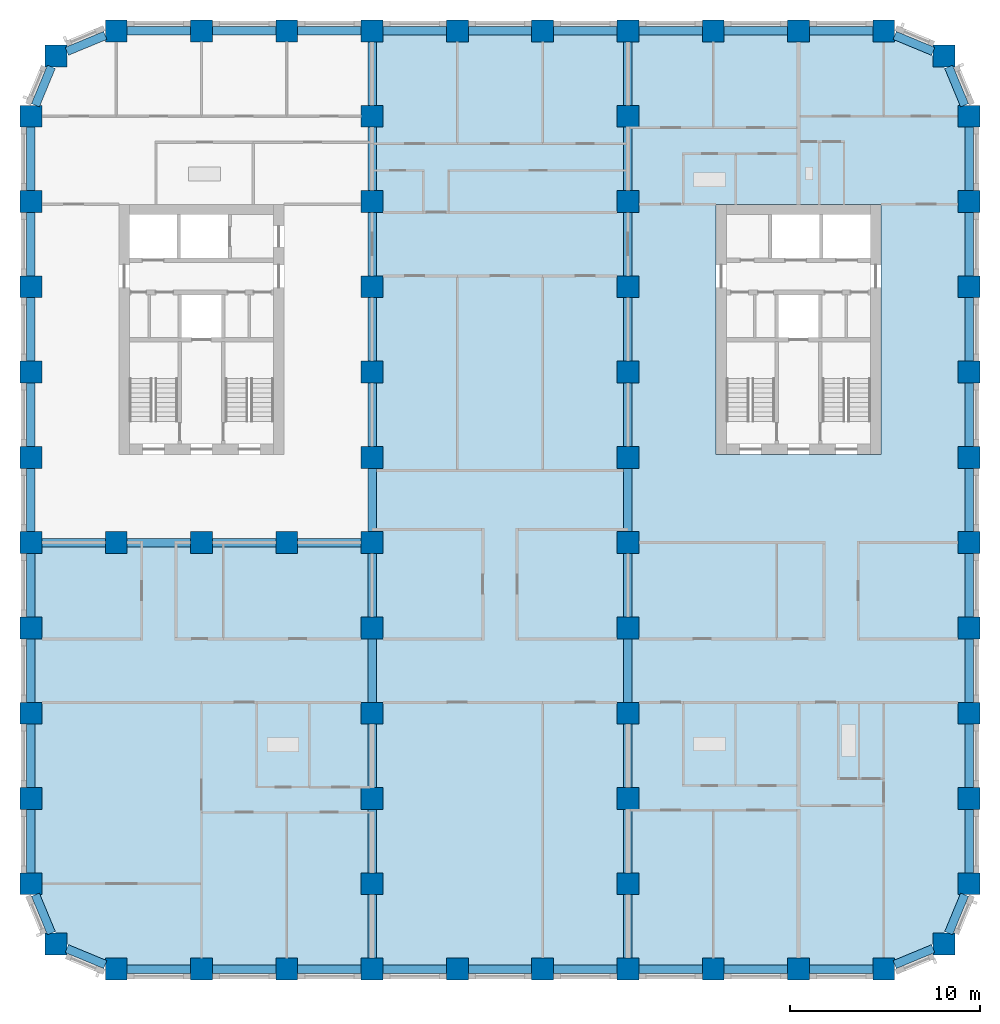
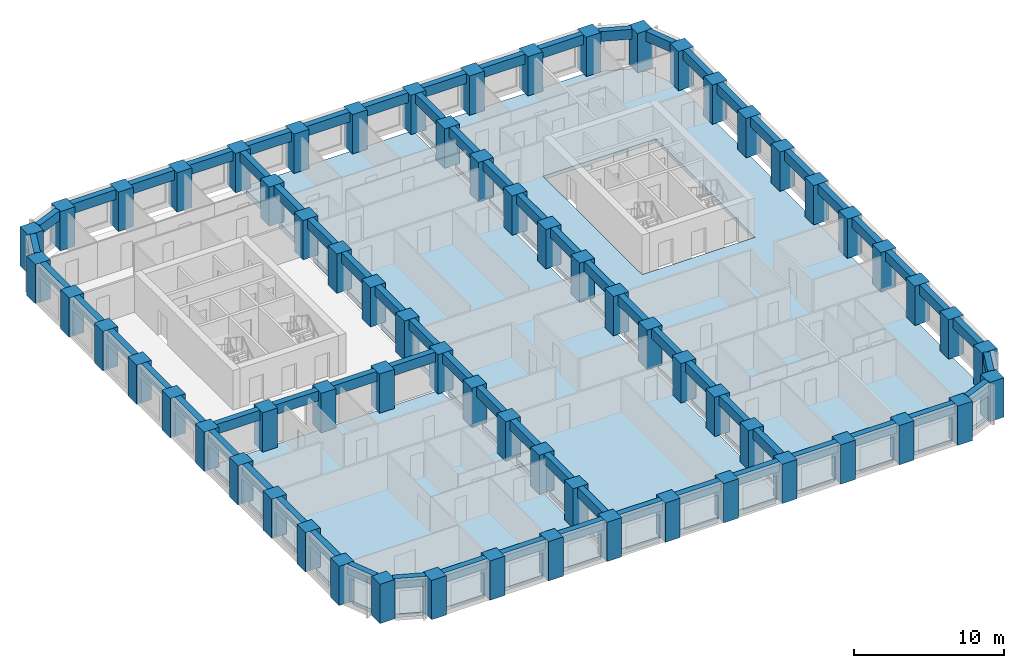
# One storey, part 1 of 13: 70 beams, 67 columns, 3 slabs.
"""IFC4 building model written with IfcOpenShell, lengths in metres."""

from ifc_helpers import new_model, si_unit, direction, frame, origin, origin_2d, place, context, subcontext, project, spatial, polyline, rectangle, outline, extrude, material, layer, layer_set, material_profile, profile_set, type_object, element, save


model = new_model("IFC4")

# Units and contexts
model_context = context("Model", 3, precision=1e-05, world=origin(), true_north=direction((0.0, 1.0)))
body_context = subcontext(model_context, "Body", "Model", "MODEL_VIEW")
ifc_project = project(units=[si_unit("LENGTHUNIT", "METRE"), si_unit("AREAUNIT", "SQUARE_METRE"), si_unit("VOLUMEUNIT", "CUBIC_METRE"), si_unit("PLANEANGLEUNIT", "RADIAN"), si_unit("MASSUNIT", "GRAM", prefix="KILO")], contexts=[model_context])

# Site, building, storey
site_placement = place(None, origin())
site = spatial("IfcSite", under=ifc_project, at=site_placement, CompositionType="ELEMENT")
building_placement = place(site_placement, origin())
building = spatial("IfcBuilding", under=site, at=building_placement, Name="Girih Gate Residences", CompositionType="ELEMENT")
storey_placement = place(building_placement, frame((0.0, 0.0, 92.800048828125)))
storey = spatial("IfcBuildingStorey", under=building, at=storey_placement, Name="L25", CompositionType="ELEMENT", Elevation=92.800048828125)

# Columns
ifc_material_1 = material(Name="Concrete C80/95", Category="concrete")
ifc_material_profile_1 = material_profile(ifc_material_1, rectangle(XDim=1.14990234375, YDim=1.14990234375, at=origin_2d()))
ifc_profile_set_1 = profile_set([ifc_material_profile_1], Name="Concrete C80/95")
column_type = type_object("IfcColumnType", Name="Pier RC 1150x1150 Concrete C80/95", PredefinedType="COLUMN", material=ifc_profile_set_1)
for number, where, z_axis, x_axis, name in (
    (1, (4.5, 0.0, 0.0), (0.0, 0.0, 1.0), (1.0, 0.0, 0.0), "Pier P2A L25"),
    (2, (9.0, 0.0, 0.0), (0.0, 0.0, 1.0), (1.0, 0.0, 0.0), "Pier P3A L25"),
    (3, (13.5, 0.0, 0.0), (0.0, 0.0, 1.0), (1.0, 0.0, 0.0), "Pier P4A L25"),
    (4, (18.0, 0.0, 0.0), (0.0, 0.0, 1.0), (1.0, 0.0, 0.0), "Pier P5A L25"),
    (5, (22.5, 0.0, 0.0), (0.0, 0.0, 1.0), (1.0, 0.0, 0.0), "Pier P6A L25"),
    (6, (27.0, 0.0, 0.0), (0.0, 0.0, 1.0), (1.0, 0.0, 0.0), "Pier P7A L25"),
    (7, (31.5, 0.0, 0.0), (0.0, 0.0, 1.0), (1.0, 0.0, 0.0), "Pier P8A L25"),
    (8, (36.0, 0.0, 0.0), (0.0, 0.0, 1.0), (1.0, 0.0, 0.0), "Pier P9A L25"),
    (9, (40.5, 0.0, 0.0), (0.0, 0.0, 1.0), (1.0, 0.0, 0.0), "Pier P10A L25"),
    (10, (45.0, 0.0, 0.0), (0.0, 0.0, 1.0), (1.0, 0.0, 0.0), "Pier P11A L25"),
    (11, (1.318115234375, 1.318115234375, 0.0), (0.0, 0.0, 1.0), (1.0, 0.0, 0.0), "Pier P1ANE L25"),
    (12, (48.181884765625, 1.318115234375, 0.0), (0.0, 0.0, 1.0), (1.0, 0.0, 0.0), "Pier P12ANW L25"),
    (13, (0.0, 4.5, 0.0), (0.0, 0.0, 1.0), (1.0, 0.0, 0.0), "Pier P1B L25"),
    (14, (18.0, 4.5, 0.0), (0.0, 0.0, 1.0), (1.0, 0.0, 0.0), "Pier P5B L25"),
    (15, (31.5, 4.5, 0.0), (0.0, 0.0, 1.0), (1.0, 0.0, 0.0), "Pier P8B L25"),
    (16, (49.5, 4.5, 0.0), (0.0, 0.0, 1.0), (1.0, 0.0, 0.0), "Pier P12B L25"),
    (17, (0.0, 9.0, 0.0), (0.0, 0.0, 1.0), (1.0, 0.0, 0.0), "Pier P1C L25"),
    (18, (18.0, 9.0, 0.0), (0.0, 0.0, 1.0), (1.0, 0.0, 0.0), "Pier P5C L25"),
    (19, (31.5, 9.0, 0.0), (0.0, 0.0, 1.0), (1.0, 0.0, 0.0), "Pier P8C L25"),
    (20, (49.5, 9.0, 0.0), (0.0, 0.0, 1.0), (1.0, 0.0, 0.0), "Pier P12C L25"),
    (21, (0.0, 13.5, 0.0), (0.0, 0.0, 1.0), (1.0, 0.0, 0.0), "Pier P1D L25"),
    (22, (18.0, 13.5, 0.0), (0.0, 0.0, 1.0), (1.0, 0.0, 0.0), "Pier P5D L25"),
    (23, (31.5, 13.5, 0.0), (0.0, 0.0, 1.0), (1.0, 0.0, 0.0), "Pier P8D L25"),
    (24, (49.5, 13.5, 0.0), (0.0, 0.0, 1.0), (1.0, 0.0, 0.0), "Pier P12D L25"),
    (25, (0.0, 18.0, 0.0), (0.0, 0.0, 1.0), (1.0, 0.0, 0.0), "Pier P1E L25"),
    (26, (18.0, 18.0, 0.0), (0.0, 0.0, 1.0), (1.0, 0.0, 0.0), "Pier P5E L25"),
    (27, (31.5, 18.0, 0.0), (0.0, 0.0, 1.0), (1.0, 0.0, 0.0), "Pier P8E L25"),
    (28, (49.5, 18.0, 0.0), (0.0, 0.0, 1.0), (1.0, 0.0, 0.0), "Pier P12E L25"),
    (29, (0.0, 22.5, 0.0), (0.0, 0.0, 1.0), (1.0, 0.0, 0.0), "Pier P1F L25"),
    (30, (4.5, 22.5, 0.0), (0.0, 0.0, 1.0), (1.0, 0.0, 0.0), "Pier P2F L25"),
    (31, (9.0, 22.5, 0.0), (0.0, 0.0, 1.0), (1.0, 0.0, 0.0), "Pier P3F L25"),
    (32, (13.5, 22.5, 0.0), (0.0, 0.0, 1.0), (1.0, 0.0, 0.0), "Pier P4F L25"),
    (33, (18.0, 22.5, 0.0), (0.0, 0.0, 1.0), (1.0, 0.0, 0.0), "Pier P5F L25"),
    (34, (31.5, 22.5, 0.0), (0.0, 0.0, 1.0), (1.0, 0.0, 0.0), "Pier P8F L25"),
    (35, (49.5, 22.5, 0.0), (0.0, 0.0, 1.0), (1.0, 0.0, 0.0), "Pier P12F L25"),
    (36, (0.0, 27.0, 0.0), (0.0, 0.0, 1.0), (1.0, 0.0, 0.0), "Pier P1G L25"),
    (37, (18.0, 27.0, 0.0), (0.0, 0.0, 1.0), (1.0, 0.0, 0.0), "Pier P5G L25"),
    (38, (31.5, 27.0, 0.0), (0.0, 0.0, 1.0), (1.0, 0.0, 0.0), "Pier P8G L25"),
    (39, (49.5, 27.0, 0.0), (0.0, 0.0, 1.0), (1.0, 0.0, 0.0), "Pier P12G L25"),
    (40, (0.0, 31.5, 0.0), (0.0, 0.0, 1.0), (1.0, 0.0, 0.0), "Pier P1H L25"),
    (41, (18.0, 31.5, 0.0), (0.0, 0.0, 1.0), (1.0, 0.0, 0.0), "Pier P5H L25"),
    (42, (31.5, 31.5, 0.0), (0.0, 0.0, 1.0), (1.0, 0.0, 0.0), "Pier P8H L25"),
    (43, (49.5, 31.5, 0.0), (0.0, 0.0, 1.0), (1.0, 0.0, 0.0), "Pier P12H L25"),
    (44, (0.0, 36.0, 0.0), (0.0, 0.0, 1.0), (1.0, 0.0, 0.0), "Pier P1I L25"),
    (45, (18.0, 36.0, 0.0), (0.0, 0.0, 1.0), (1.0, 0.0, 0.0), "Pier P5I L25"),
    (46, (31.5, 36.0, 0.0), (0.0, 0.0, 1.0), (1.0, 0.0, 0.0), "Pier P8I L25"),
    (47, (49.5, 36.0, 0.0), (0.0, 0.0, 1.0), (1.0, 0.0, 0.0), "Pier P12I L25"),
    (48, (0.0, 40.5, 0.0), (0.0, 0.0, 1.0), (1.0, 0.0, 0.0), "Pier P1J L25"),
    (49, (18.0, 40.5, 0.0), (0.0, 0.0, 1.0), (1.0, 0.0, 0.0), "Pier P5J L25"),
    (50, (31.5, 40.5, 0.0), (0.0, 0.0, 1.0), (1.0, 0.0, 0.0), "Pier P8J L25"),
    (51, (49.5, 40.5, 0.0), (0.0, 0.0, 1.0), (1.0, 0.0, 0.0), "Pier P12J L25"),
    (52, (0.0, 45.0, 0.0), (0.0, 0.0, 1.0), (1.0, 0.0, 0.0), "Pier P1K L25"),
    (53, (18.0, 45.0, 0.0), (0.0, 0.0, 1.0), (1.0, 0.0, 0.0), "Pier P5K L25"),
    (54, (31.5, 45.0, 0.0), (0.0, 0.0, 1.0), (1.0, 0.0, 0.0), "Pier P8K L25"),
    (55, (49.5, 45.0, 0.0), (0.0, 0.0, 1.0), (1.0, 0.0, 0.0), "Pier P12K L25"),
    (56, (1.318115234375, 48.181884765625, 0.0), (0.0, 0.0, 1.0), (1.0, 0.0, 0.0), "Pier P1LSE L25"),
    (57, (48.181884765625, 48.181884765625, 0.0), (0.0, 0.0, 1.0), (1.0, 0.0, 0.0), "Pier P12LSW L25"),
    (58, (4.5, 49.5, 0.0), (0.0, 0.0, 1.0), (1.0, 0.0, 0.0), "Pier P2L L25"),
    (59, (9.0, 49.5, 0.0), (0.0, 0.0, 1.0), (1.0, 0.0, 0.0), "Pier P3L L25"),
    (60, (13.5, 49.5, 0.0), (0.0, 0.0, 1.0), (1.0, 0.0, 0.0), "Pier P4L L25"),
    (61, (18.0, 49.5, 0.0), (0.0, 0.0, 1.0), (1.0, 0.0, 0.0), "Pier P5L L25"),
    (62, (22.5, 49.5, 0.0), (0.0, 0.0, 1.0), (1.0, 0.0, 0.0), "Pier P6L L25"),
    (63, (27.0, 49.5, 0.0), (0.0, 0.0, 1.0), (1.0, 0.0, 0.0), "Pier P7L L25"),
    (64, (31.5, 49.5, 0.0), (0.0, 0.0, 1.0), (1.0, 0.0, 0.0), "Pier P8L L25"),
    (65, (36.0, 49.5, 0.0), (0.0, 0.0, 1.0), (1.0, 0.0, 0.0), "Pier P9L L25"),
    (66, (40.5, 49.5, 0.0), (0.0, 0.0, 1.0), (1.0, 0.0, 0.0), "Pier P10L L25"),
    (67, (45.0, 49.5, 0.0), (0.0, 0.0, 1.0), (1.0, 0.0, 0.0), "Pier P11L L25"),
):
    element("IfcColumn", number, at=place(storey_placement, frame(where, z_axis=z_axis, x_axis=x_axis)), inside=storey, type_object=column_type, Name=name, PredefinedType="COLUMN", context=body_context, shape_type="SweptSolid", body=[
        extrude(rectangle(XDim=1.14990234375, YDim=1.14990234375, at=origin_2d()), origin(), (0.0, 0.0, 1.0), 3.199951171875),
    ])

# Beams
ifc_material_2 = material(Name="Concrete C60/75", Category="concrete")
ifc_material_profile_2 = material_profile(ifc_material_2, rectangle(XDim=0.449951171875, YDim=0.800048828125, at=origin_2d()))
ifc_profile_set_2 = profile_set([ifc_material_profile_2], Name="Concrete C60/75")
beam_type = type_object("IfcBeamType", Name="Spandrel girder RC 450x800 Concrete C60/75", PredefinedType="BEAM", material=ifc_profile_set_2)
for number, where, z_axis, x_axis, name in (
    (68, (0.23828125, 3.925048828125, 2.800048828125), (0.382636106589, -0.92389913407, 0.0), (0.92389913407, 0.382636106589, 0.0), "Spandrel girder SP-P1B-P1ANE L25"),
    (69, (1.89306640625, 1.079833984375, 2.800048828125), (0.92389913407, -0.382636106589, 0.0), (0.382636106589, 0.92389913407, 0.0), "Spandrel girder SP-P1ANE-P2A L25"),
):
    element("IfcBeam", number, at=place(storey_placement, frame(where, z_axis=z_axis, x_axis=x_axis)), inside=storey, type_object=beam_type, Name=name, PredefinedType="BEAM", context=body_context, shape_type="SweptSolid", body=[
        extrude(rectangle(XDim=0.449951171875, YDim=0.800048828125, at=origin_2d()), origin(), (0.0, 0.0, 1.0), 2.199462890625),
    ])
for number, where, z_axis, x_axis, name in (
    (70, (5.074951171875, 0.0, 2.800048828125), (1.0, 0.0, 0.0), (0.0, 1.0, 0.0), "Spandrel girder SP-P2A-P3A L25"),
    (71, (9.574951171875, 0.0, 2.800048828125), (1.0, 0.0, 0.0), (0.0, 1.0, 0.0), "Spandrel girder SP-P3A-P4A L25"),
    (72, (14.074951171875, 0.0, 2.800048828125), (1.0, 0.0, 0.0), (0.0, 1.0, 0.0), "Spandrel girder SP-P4A-P5A L25"),
    (73, (18.574951171875, 0.0, 2.800048828125), (1.0, 0.0, 0.0), (0.0, 1.0, 0.0), "Spandrel girder SP-P5A-P6A L25"),
    (74, (23.074951171875, 0.0, 2.800048828125), (1.0, 0.0, 0.0), (0.0, 1.0, 0.0), "Spandrel girder SP-P6A-P7A L25"),
    (75, (27.574951171875, 0.0, 2.800048828125), (1.0, 0.0, 0.0), (0.0, 1.0, 0.0), "Spandrel girder SP-P7A-P8A L25"),
    (76, (32.074951171875, 0.0, 2.800048828125), (1.0, 0.0, 0.0), (0.0, 1.0, 0.0), "Spandrel girder SP-P8A-P9A L25"),
    (77, (36.574951171875, 0.0, 2.800048828125), (1.0, 0.0, 0.0), (0.0, 1.0, 0.0), "Spandrel girder SP-P9A-P10A L25"),
    (78, (41.074951171875, 0.0, 2.800048828125), (1.0, 0.0, 0.0), (0.0, 1.0, 0.0), "Spandrel girder SP-P10A-P11A L25"),
):
    element("IfcBeam", number, at=place(storey_placement, frame(where, z_axis=z_axis, x_axis=x_axis)), inside=storey, type_object=beam_type, Name=name, PredefinedType="BEAM", context=body_context, shape_type="SweptSolid", body=[
        extrude(rectangle(XDim=0.449951171875, YDim=0.800048828125, at=origin_2d()), origin(), (0.0, 0.0, 1.0), 3.35009765625),
    ])
for number, where, z_axis, x_axis, name in (
    (79, (45.574951171875, 0.23828125, 2.800048828125), (0.92389913407, 0.382636106589, 0.0), (-0.382636106589, 0.92389913407, 0.0), "Spandrel girder SP-P11A-P12ANW L25"),
    (80, (48.420166015625, 1.89306640625, 2.800048828125), (0.382636106589, 0.92389913407, 0.0), (-0.92389913407, 0.382636106589, 0.0), "Spandrel girder SP-P12ANW-P12B L25"),
):
    element("IfcBeam", number, at=place(storey_placement, frame(where, z_axis=z_axis, x_axis=x_axis)), inside=storey, type_object=beam_type, Name=name, PredefinedType="BEAM", context=body_context, shape_type="SweptSolid", body=[
        extrude(rectangle(XDim=0.449951171875, YDim=0.800048828125, at=origin_2d()), origin(), (0.0, 0.0, 1.0), 2.199462890625),
    ])
for number, where, z_axis, x_axis, name in (
    (81, (49.5, 5.074951171875, 2.800048828125), (0.0, 1.0, 0.0), (-1.0, 0.0, 0.0), "Spandrel girder SP-P12B-P12C L25"),
    (82, (49.5, 9.574951171875, 2.800048828125), (0.0, 1.0, 0.0), (-1.0, 0.0, 0.0), "Spandrel girder SP-P12C-P12D L25"),
    (83, (49.5, 14.074951171875, 2.800048828125), (0.0, 1.0, 0.0), (-1.0, 0.0, 0.0), "Spandrel girder SP-P12D-P12E L25"),
    (84, (49.5, 18.574951171875, 2.800048828125), (0.0, 1.0, 0.0), (-1.0, 0.0, 0.0), "Spandrel girder SP-P12E-P12F L25"),
    (85, (49.5, 23.074951171875, 2.800048828125), (0.0, 1.0, 0.0), (-1.0, 0.0, 0.0), "Spandrel girder SP-P12F-P12G L25"),
    (86, (49.5, 27.574951171875, 2.800048828125), (0.0, 1.0, 0.0), (-1.0, 0.0, 0.0), "Spandrel girder SP-P12G-P12H L25"),
    (87, (49.5, 32.074951171875, 2.800048828125), (0.0, 1.0, 0.0), (-1.0, 0.0, 0.0), "Spandrel girder SP-P12H-P12I L25"),
    (88, (49.5, 36.574951171875, 2.800048828125), (0.0, 1.0, 0.0), (-1.0, 0.0, 0.0), "Spandrel girder SP-P12I-P12J L25"),
    (89, (49.5, 41.074951171875, 2.800048828125), (0.0, 1.0, 0.0), (-1.0, 0.0, 0.0), "Spandrel girder SP-P12J-P12K L25"),
):
    element("IfcBeam", number, at=place(storey_placement, frame(where, z_axis=z_axis, x_axis=x_axis)), inside=storey, type_object=beam_type, Name=name, PredefinedType="BEAM", context=body_context, shape_type="SweptSolid", body=[
        extrude(rectangle(XDim=0.449951171875, YDim=0.800048828125, at=origin_2d()), origin(), (0.0, 0.0, 1.0), 3.35009765625),
    ])
for number, where, z_axis, x_axis, name in (
    (90, (49.26171875, 45.574951171875, 2.800048828125), (-0.382636106589, 0.92389913407, 0.0), (-0.92389913407, -0.382636106589, 0.0), "Spandrel girder SP-P12K-P12LSW L25"),
    (91, (47.60693359375, 48.420166015625, 2.800048828125), (-0.92389913407, 0.382636106589, 0.0), (-0.382636106589, -0.92389913407, 0.0), "Spandrel girder SP-P12LSW-P11L L25"),
):
    element("IfcBeam", number, at=place(storey_placement, frame(where, z_axis=z_axis, x_axis=x_axis)), inside=storey, type_object=beam_type, Name=name, PredefinedType="BEAM", context=body_context, shape_type="SweptSolid", body=[
        extrude(rectangle(XDim=0.449951171875, YDim=0.800048828125, at=origin_2d()), origin(), (0.0, 0.0, 1.0), 2.199462890625),
    ])
for number, where, z_axis, x_axis, name in (
    (92, (44.425048828125, 49.5, 2.800048828125), (-1.0, 0.0, 0.0), (0.0, -1.0, 0.0), "Spandrel girder SP-P11L-P10L L25"),
    (93, (39.925048828125, 49.5, 2.800048828125), (-1.0, 0.0, 0.0), (0.0, -1.0, 0.0), "Spandrel girder SP-P10L-P9L L25"),
    (94, (35.425048828125, 49.5, 2.800048828125), (-1.0, 0.0, 0.0), (0.0, -1.0, 0.0), "Spandrel girder SP-P9L-P8L L25"),
    (95, (30.925048828125, 49.5, 2.800048828125), (-1.0, 0.0, 0.0), (0.0, -1.0, 0.0), "Spandrel girder SP-P8L-P7L L25"),
    (96, (26.425048828125, 49.5, 2.800048828125), (-1.0, 0.0, 0.0), (0.0, -1.0, 0.0), "Spandrel girder SP-P7L-P6L L25"),
    (97, (21.925048828125, 49.5, 2.800048828125), (-1.0, 0.0, 0.0), (0.0, -1.0, 0.0), "Spandrel girder SP-P6L-P5L L25"),
    (98, (17.425048828125, 49.5, 2.800048828125), (-1.0, 0.0, 0.0), (0.0, -1.0, 0.0), "Spandrel girder SP-P5L-P4L L25"),
    (99, (12.925048828125, 49.5, 2.800048828125), (-1.0, 0.0, 0.0), (0.0, -1.0, 0.0), "Spandrel girder SP-P4L-P3L L25"),
    (100, (8.425048828125, 49.5, 2.800048828125), (-1.0, 0.0, 0.0), (0.0, -1.0, 0.0), "Spandrel girder SP-P3L-P2L L25"),
):
    element("IfcBeam", number, at=place(storey_placement, frame(where, z_axis=z_axis, x_axis=x_axis)), inside=storey, type_object=beam_type, Name=name, PredefinedType="BEAM", context=body_context, shape_type="SweptSolid", body=[
        extrude(rectangle(XDim=0.449951171875, YDim=0.800048828125, at=origin_2d()), origin(), (0.0, 0.0, 1.0), 3.35009765625),
    ])
for number, where, z_axis, x_axis, name in (
    (101, (3.925048828125, 49.26171875, 2.800048828125), (-0.92389913407, -0.382636106589, 0.0), (0.382636106589, -0.92389913407, 0.0), "Spandrel girder SP-P2L-P1LSE L25"),
    (102, (1.079833984375, 47.60693359375, 2.800048828125), (-0.382636106589, -0.92389913407, 0.0), (0.92389913407, -0.382636106589, 0.0), "Spandrel girder SP-P1LSE-P1K L25"),
):
    element("IfcBeam", number, at=place(storey_placement, frame(where, z_axis=z_axis, x_axis=x_axis)), inside=storey, type_object=beam_type, Name=name, PredefinedType="BEAM", context=body_context, shape_type="SweptSolid", body=[
        extrude(rectangle(XDim=0.449951171875, YDim=0.800048828125, at=origin_2d()), origin(), (0.0, 0.0, 1.0), 2.199462890625),
    ])
for number, where, z_axis, x_axis, name in (
    (103, (0.0, 44.425048828125, 2.800048828125), (0.0, -1.0, 0.0), (1.0, 0.0, 0.0), "Spandrel girder SP-P1K-P1J L25"),
    (104, (0.0, 39.925048828125, 2.800048828125), (0.0, -1.0, 0.0), (1.0, 0.0, 0.0), "Spandrel girder SP-P1J-P1I L25"),
    (105, (0.0, 35.425048828125, 2.800048828125), (0.0, -1.0, 0.0), (1.0, 0.0, 0.0), "Spandrel girder SP-P1I-P1H L25"),
    (106, (0.0, 30.925048828125, 2.800048828125), (0.0, -1.0, 0.0), (1.0, 0.0, 0.0), "Spandrel girder SP-P1H-P1G L25"),
    (107, (0.0, 26.425048828125, 2.800048828125), (0.0, -1.0, 0.0), (1.0, 0.0, 0.0), "Spandrel girder SP-P1G-P1F L25"),
    (108, (0.0, 21.925048828125, 2.800048828125), (0.0, -1.0, 0.0), (1.0, 0.0, 0.0), "Spandrel girder SP-P1F-P1E L25"),
    (109, (0.0, 17.425048828125, 2.800048828125), (0.0, -1.0, 0.0), (1.0, 0.0, 0.0), "Spandrel girder SP-P1E-P1D L25"),
    (110, (0.0, 12.925048828125, 2.800048828125), (0.0, -1.0, 0.0), (1.0, 0.0, 0.0), "Spandrel girder SP-P1D-P1C L25"),
    (111, (0.0, 8.425048828125, 2.800048828125), (0.0, -1.0, 0.0), (1.0, 0.0, 0.0), "Spandrel girder SP-P1C-P1B L25"),
    (112, (18.0, 0.574951171875, 2.800048828125), (0.0, 1.0, 0.0), (-1.0, 0.0, 0.0), "Spandrel girder SP-P5A-P5B L25"),
    (113, (18.0, 5.074951171875, 2.800048828125), (0.0, 1.0, 0.0), (-1.0, 0.0, 0.0), "Spandrel girder SP-P5B-P5C L25"),
    (114, (18.0, 9.574951171875, 2.800048828125), (0.0, 1.0, 0.0), (-1.0, 0.0, 0.0), "Spandrel girder SP-P5C-P5D L25"),
    (115, (18.0, 14.074951171875, 2.800048828125), (0.0, 1.0, 0.0), (-1.0, 0.0, 0.0), "Spandrel girder SP-P5D-P5E L25"),
    (116, (18.0, 18.574951171875, 2.800048828125), (0.0, 1.0, 0.0), (-1.0, 0.0, 0.0), "Spandrel girder SP-P5E-P5F L25"),
    (117, (18.0, 23.074951171875, 2.800048828125), (0.0, 1.0, 0.0), (-1.0, 0.0, 0.0), "Spandrel girder SP-P5F-P5G L25"),
    (118, (18.0, 27.574951171875, 2.800048828125), (0.0, 1.0, 0.0), (-1.0, 0.0, 0.0), "Spandrel girder SP-P5G-P5H L25"),
    (119, (18.0, 32.074951171875, 2.800048828125), (0.0, 1.0, 0.0), (-1.0, 0.0, 0.0), "Spandrel girder SP-P5H-P5I L25"),
    (120, (18.0, 36.574951171875, 2.800048828125), (0.0, 1.0, 0.0), (-1.0, 0.0, 0.0), "Spandrel girder SP-P5I-P5J L25"),
    (121, (18.0, 41.074951171875, 2.800048828125), (0.0, 1.0, 0.0), (-1.0, 0.0, 0.0), "Spandrel girder SP-P5J-P5K L25"),
    (122, (18.0, 45.574951171875, 2.800048828125), (0.0, 1.0, 0.0), (-1.0, 0.0, 0.0), "Spandrel girder SP-P5K-P5L L25"),
    (123, (31.5, 0.574951171875, 2.800048828125), (0.0, 1.0, 0.0), (-1.0, 0.0, 0.0), "Spandrel girder SP-P8A-P8B L25"),
    (124, (31.5, 5.074951171875, 2.800048828125), (0.0, 1.0, 0.0), (-1.0, 0.0, 0.0), "Spandrel girder SP-P8B-P8C L25"),
    (125, (31.5, 9.574951171875, 2.800048828125), (0.0, 1.0, 0.0), (-1.0, 0.0, 0.0), "Spandrel girder SP-P8C-P8D L25"),
    (126, (31.5, 14.074951171875, 2.800048828125), (0.0, 1.0, 0.0), (-1.0, 0.0, 0.0), "Spandrel girder SP-P8D-P8E L25"),
    (127, (31.5, 18.574951171875, 2.800048828125), (0.0, 1.0, 0.0), (-1.0, 0.0, 0.0), "Spandrel girder SP-P8E-P8F L25"),
    (128, (31.5, 23.074951171875, 2.800048828125), (0.0, 1.0, 0.0), (-1.0, 0.0, 0.0), "Spandrel girder SP-P8F-P8G L25"),
    (129, (31.5, 27.574951171875, 2.800048828125), (0.0, 1.0, 0.0), (-1.0, 0.0, 0.0), "Spandrel girder SP-P8G-P8H L25"),
    (130, (31.5, 32.074951171875, 2.800048828125), (0.0, 1.0, 0.0), (-1.0, 0.0, 0.0), "Spandrel girder SP-P8H-P8I L25"),
    (131, (31.5, 36.574951171875, 2.800048828125), (0.0, 1.0, 0.0), (-1.0, 0.0, 0.0), "Spandrel girder SP-P8I-P8J L25"),
    (132, (31.5, 41.074951171875, 2.800048828125), (0.0, 1.0, 0.0), (-1.0, 0.0, 0.0), "Spandrel girder SP-P8J-P8K L25"),
    (133, (31.5, 45.574951171875, 2.800048828125), (0.0, 1.0, 0.0), (-1.0, 0.0, 0.0), "Spandrel girder SP-P8K-P8L L25"),
    (134, (0.574951171875, 22.5, 2.800048828125), (1.0, 0.0, 0.0), (0.0, 1.0, 0.0), "Spandrel girder SP-P1F-P2F L25"),
    (135, (5.074951171875, 22.5, 2.800048828125), (1.0, 0.0, 0.0), (0.0, 1.0, 0.0), "Spandrel girder SP-P2F-P3F L25"),
    (136, (9.574951171875, 22.5, 2.800048828125), (1.0, 0.0, 0.0), (0.0, 1.0, 0.0), "Spandrel girder SP-P3F-P4F L25"),
    (137, (14.074951171875, 22.5, 2.800048828125), (1.0, 0.0, 0.0), (0.0, 1.0, 0.0), "Spandrel girder SP-P4F-P5F L25"),
):
    element("IfcBeam", number, at=place(storey_placement, frame(where, z_axis=z_axis, x_axis=x_axis)), inside=storey, type_object=beam_type, Name=name, PredefinedType="BEAM", context=body_context, shape_type="SweptSolid", body=[
        extrude(rectangle(XDim=0.449951171875, YDim=0.800048828125, at=origin_2d()), origin(), (0.0, 0.0, 1.0), 3.35009765625),
    ])

# Slabs
ifc_material_3 = material(Name="Concrete C40/50", Category="concrete")
ifc_layer_1 = layer(ifc_material_3, 0.300048828125)
ifc_layer_set_1 = layer_set([ifc_layer_1], Name="Floor slab PT 300 Concrete C40/50")
slab_type_1 = type_object("IfcSlabType", Name="Floor slab PT 300 Concrete C40/50", PredefinedType="FLOOR", material=ifc_layer_set_1)
slab_1_placement = place(storey_placement, frame((0.0, 0.0, -0.300048828125)))
element("IfcSlab", 138, at=slab_1_placement, inside=storey, type_object=slab_type_1, Name="Floor slab L25 0", PredefinedType="FLOOR", context=body_context, shape_type="SweptSolid", body=[
    extrude(outline(polyline([(0.22509765625, 8.425048828125), (0.22509765625, 5.074951171875), (0.574951171875, 5.074951171875), (0.574951171875, 3.925048828125), (0.481689453125, 3.925048828125), (1.323486328125, 1.89306640625), (1.89306640625, 1.89306640625), (1.89306640625, 1.323486328125), (3.925048828125, 0.481689453125), (3.925048828125, 0.574951171875), (5.074951171875, 0.574951171875), (5.074951171875, 0.22509765625), (8.425048828125, 0.22509765625), (8.425048828125, 0.574951171875), (9.574951171875, 0.574951171875), (9.574951171875, 0.22509765625), (12.925048828125, 0.22509765625), (12.925048828125, 0.574951171875), (14.074951171875, 0.574951171875), (14.074951171875, 0.22509765625), (17.425048828125, 0.22509765625), (17.425048828125, 0.574951171875), (17.77490234375, 0.574951171875), (17.77490234375, 3.925048828125), (17.425048828125, 3.925048828125), (17.425048828125, 5.074951171875), (17.77490234375, 5.074951171875), (17.77490234375, 8.425048828125), (17.425048828125, 8.425048828125), (17.425048828125, 9.574951171875), (17.77490234375, 9.574951171875), (17.77490234375, 12.925048828125), (17.425048828125, 12.925048828125), (17.425048828125, 14.074951171875), (17.77490234375, 14.074951171875), (17.77490234375, 17.425048828125), (17.425048828125, 17.425048828125), (17.425048828125, 18.574951171875), (17.77490234375, 18.574951171875), (17.77490234375, 21.925048828125), (17.425048828125, 21.925048828125), (17.425048828125, 22.27490234375), (14.074951171875, 22.27490234375), (14.074951171875, 21.925048828125), (12.925048828125, 21.925048828125), (12.925048828125, 22.27490234375), (9.574951171875, 22.27490234375), (9.574951171875, 21.925048828125), (8.425048828125, 21.925048828125), (8.425048828125, 22.27490234375), (5.074951171875, 22.27490234375), (5.074951171875, 21.925048828125), (3.925048828125, 21.925048828125), (3.925048828125, 22.27490234375), (0.574951171875, 22.27490234375), (0.574951171875, 21.925048828125), (0.22509765625, 21.925048828125), (0.22509765625, 18.574951171875), (0.574951171875, 18.574951171875), (0.574951171875, 17.425048828125), (0.22509765625, 17.425048828125), (0.22509765625, 14.074951171875), (0.574951171875, 14.074951171875), (0.574951171875, 12.925048828125), (0.22509765625, 12.925048828125), (0.22509765625, 9.574951171875), (0.574951171875, 9.574951171875), (0.574951171875, 8.425048828125), (0.22509765625, 8.425048828125)])), origin(), (0.0, 0.0, 1.0), 0.300048828125),
])
slab_2_placement = place(storey_placement, frame((0.0, 0.0, -0.300048828125)))
element("IfcSlab", 139, at=slab_2_placement, inside=storey, type_object=slab_type_1, Name="Floor slab L25 1", PredefinedType="FLOOR", context=body_context, shape_type="SweptSolid", body=[
    extrude(outline(polyline([(35.425048828125, 49.27490234375), (32.074951171875, 49.27490234375), (32.074951171875, 48.925048828125), (31.72509765625, 48.925048828125), (31.72509765625, 45.574951171875), (32.074951171875, 45.574951171875), (32.074951171875, 44.425048828125), (31.72509765625, 44.425048828125), (31.72509765625, 41.074951171875), (32.074951171875, 41.074951171875), (32.074951171875, 39.925048828125), (31.72509765625, 39.925048828125), (31.72509765625, 36.574951171875), (32.074951171875, 36.574951171875), (32.074951171875, 35.425048828125), (31.72509765625, 35.425048828125), (31.72509765625, 32.074951171875), (32.074951171875, 32.074951171875), (32.074951171875, 30.925048828125), (31.72509765625, 30.925048828125), (31.72509765625, 27.574951171875), (32.074951171875, 27.574951171875), (32.074951171875, 26.425048828125), (31.72509765625, 26.425048828125), (31.72509765625, 23.074951171875), (32.074951171875, 23.074951171875), (32.074951171875, 21.925048828125), (31.72509765625, 21.925048828125), (31.72509765625, 18.574951171875), (32.074951171875, 18.574951171875), (32.074951171875, 17.425048828125), (31.72509765625, 17.425048828125), (31.72509765625, 14.074951171875), (32.074951171875, 14.074951171875), (32.074951171875, 12.925048828125), (31.72509765625, 12.925048828125), (31.72509765625, 9.574951171875), (32.074951171875, 9.574951171875), (32.074951171875, 8.425048828125), (31.72509765625, 8.425048828125), (31.72509765625, 5.074951171875), (32.074951171875, 5.074951171875), (32.074951171875, 3.925048828125), (31.72509765625, 3.925048828125), (31.72509765625, 0.574951171875), (32.074951171875, 0.574951171875), (32.074951171875, 0.22509765625), (35.425048828125, 0.22509765625), (35.425048828125, 0.574951171875), (36.574951171875, 0.574951171875), (36.574951171875, 0.22509765625), (39.925048828125, 0.22509765625), (39.925048828125, 0.574951171875), (41.074951171875, 0.574951171875), (41.074951171875, 0.22509765625), (44.425048828125, 0.22509765625), (44.425048828125, 0.574951171875), (45.574951171875, 0.574951171875), (45.574951171875, 0.481689453125), (47.60693359375, 1.323486328125), (47.60693359375, 1.89306640625), (48.176513671875, 1.89306640625), (49.018310546875, 3.925048828125), (48.925048828125, 3.925048828125), (48.925048828125, 5.074951171875), (49.27490234375, 5.074951171875), (49.27490234375, 8.425048828125), (48.925048828125, 8.425048828125), (48.925048828125, 9.574951171875), (49.27490234375, 9.574951171875), (49.27490234375, 12.925048828125), (48.925048828125, 12.925048828125), (48.925048828125, 14.074951171875), (49.27490234375, 14.074951171875), (49.27490234375, 17.425048828125), (48.925048828125, 17.425048828125), (48.925048828125, 18.574951171875), (49.27490234375, 18.574951171875), (49.27490234375, 21.925048828125), (48.925048828125, 21.925048828125), (48.925048828125, 23.074951171875), (49.27490234375, 23.074951171875), (49.27490234375, 26.425048828125), (48.925048828125, 26.425048828125), (48.925048828125, 27.574951171875), (49.27490234375, 27.574951171875), (49.27490234375, 30.925048828125), (48.925048828125, 30.925048828125), (48.925048828125, 32.074951171875), (49.27490234375, 32.074951171875), (49.27490234375, 35.425048828125), (48.925048828125, 35.425048828125), (48.925048828125, 36.574951171875), (49.27490234375, 36.574951171875), (49.27490234375, 39.925048828125), (48.925048828125, 39.925048828125), (48.925048828125, 41.074951171875), (49.27490234375, 41.074951171875), (49.27490234375, 44.425048828125), (48.925048828125, 44.425048828125), (48.925048828125, 45.574951171875), (49.018310546875, 45.574951171875), (48.176513671875, 47.60693359375), (47.60693359375, 47.60693359375), (47.60693359375, 48.176513671875), (45.574951171875, 49.018310546875), (45.574951171875, 48.925048828125), (44.425048828125, 48.925048828125), (44.425048828125, 49.27490234375), (41.074951171875, 49.27490234375), (41.074951171875, 48.925048828125), (39.925048828125, 48.925048828125), (39.925048828125, 49.27490234375), (36.574951171875, 49.27490234375), (36.574951171875, 48.925048828125), (35.425048828125, 48.925048828125), (35.425048828125, 49.27490234375)]), holes=[polyline([(44.85009765625, 40.35009765625), (44.85009765625, 27.14990234375), (36.14990234375, 27.14990234375), (36.14990234375, 40.35009765625), (44.85009765625, 40.35009765625)])]), origin(), (0.0, 0.0, 1.0), 0.300048828125),
])
ifc_layer_2 = layer(ifc_material_3, 0.449951171875)
ifc_layer_set_2 = layer_set([ifc_layer_2], Name="Floor slab PT 450 Concrete C40/50")
slab_type_2 = type_object("IfcSlabType", Name="Floor slab PT 450 Concrete C40/50", PredefinedType="FLOOR", material=ifc_layer_set_2)
slab_3_placement = place(storey_placement, frame((0.0, 0.0, -0.449951171875)))
element("IfcSlab", 140, at=slab_3_placement, inside=storey, type_object=slab_type_2, Name="Floor slab L25 2", PredefinedType="FLOOR", context=body_context, shape_type="SweptSolid", body=[
    extrude(outline(polyline([(21.925048828125, 49.27490234375), (18.574951171875, 49.27490234375), (18.574951171875, 48.925048828125), (18.22509765625, 48.925048828125), (18.22509765625, 45.574951171875), (18.574951171875, 45.574951171875), (18.574951171875, 44.425048828125), (18.22509765625, 44.425048828125), (18.22509765625, 41.074951171875), (18.574951171875, 41.074951171875), (18.574951171875, 39.925048828125), (18.22509765625, 39.925048828125), (18.22509765625, 36.574951171875), (18.574951171875, 36.574951171875), (18.574951171875, 35.425048828125), (18.22509765625, 35.425048828125), (18.22509765625, 32.074951171875), (18.574951171875, 32.074951171875), (18.574951171875, 30.925048828125), (18.22509765625, 30.925048828125), (18.22509765625, 27.574951171875), (18.574951171875, 27.574951171875), (18.574951171875, 26.425048828125), (18.22509765625, 26.425048828125), (18.22509765625, 23.074951171875), (18.574951171875, 23.074951171875), (18.574951171875, 21.925048828125), (18.22509765625, 21.925048828125), (18.22509765625, 18.574951171875), (18.574951171875, 18.574951171875), (18.574951171875, 17.425048828125), (18.22509765625, 17.425048828125), (18.22509765625, 14.074951171875), (18.574951171875, 14.074951171875), (18.574951171875, 12.925048828125), (18.22509765625, 12.925048828125), (18.22509765625, 9.574951171875), (18.574951171875, 9.574951171875), (18.574951171875, 8.425048828125), (18.22509765625, 8.425048828125), (18.22509765625, 5.074951171875), (18.574951171875, 5.074951171875), (18.574951171875, 3.925048828125), (18.22509765625, 3.925048828125), (18.22509765625, 0.574951171875), (18.574951171875, 0.574951171875), (18.574951171875, 0.22509765625), (21.925048828125, 0.22509765625), (21.925048828125, 0.574951171875), (23.074951171875, 0.574951171875), (23.074951171875, 0.22509765625), (26.425048828125, 0.22509765625), (26.425048828125, 0.574951171875), (27.574951171875, 0.574951171875), (27.574951171875, 0.22509765625), (30.925048828125, 0.22509765625), (30.925048828125, 0.574951171875), (31.27490234375, 0.574951171875), (31.27490234375, 3.925048828125), (30.925048828125, 3.925048828125), (30.925048828125, 5.074951171875), (31.27490234375, 5.074951171875), (31.27490234375, 8.425048828125), (30.925048828125, 8.425048828125), (30.925048828125, 9.574951171875), (31.27490234375, 9.574951171875), (31.27490234375, 12.925048828125), (30.925048828125, 12.925048828125), (30.925048828125, 14.074951171875), (31.27490234375, 14.074951171875), (31.27490234375, 17.425048828125), (30.925048828125, 17.425048828125), (30.925048828125, 18.574951171875), (31.27490234375, 18.574951171875), (31.27490234375, 21.925048828125), (30.925048828125, 21.925048828125), (30.925048828125, 23.074951171875), (31.27490234375, 23.074951171875), (31.27490234375, 26.425048828125), (30.925048828125, 26.425048828125), (30.925048828125, 27.574951171875), (31.27490234375, 27.574951171875), (31.27490234375, 30.925048828125), (30.925048828125, 30.925048828125), (30.925048828125, 32.074951171875), (31.27490234375, 32.074951171875), (31.27490234375, 35.425048828125), (30.925048828125, 35.425048828125), (30.925048828125, 36.574951171875), (31.27490234375, 36.574951171875), (31.27490234375, 39.925048828125), (30.925048828125, 39.925048828125), (30.925048828125, 41.074951171875), (31.27490234375, 41.074951171875), (31.27490234375, 44.425048828125), (30.925048828125, 44.425048828125), (30.925048828125, 45.574951171875), (31.27490234375, 45.574951171875), (31.27490234375, 48.925048828125), (30.925048828125, 48.925048828125), (30.925048828125, 49.27490234375), (27.574951171875, 49.27490234375), (27.574951171875, 48.925048828125), (26.425048828125, 48.925048828125), (26.425048828125, 49.27490234375), (23.074951171875, 49.27490234375), (23.074951171875, 48.925048828125), (21.925048828125, 48.925048828125), (21.925048828125, 49.27490234375)])), origin(), (0.0, 0.0, 1.0), 0.449951171875),
])

save(model, "model.ifc")
